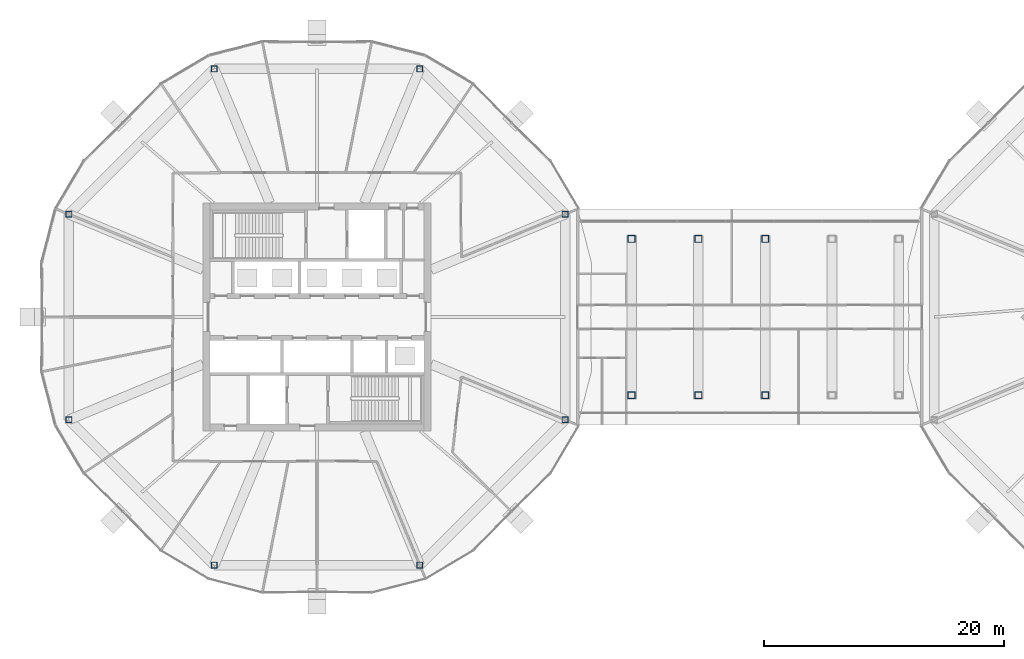
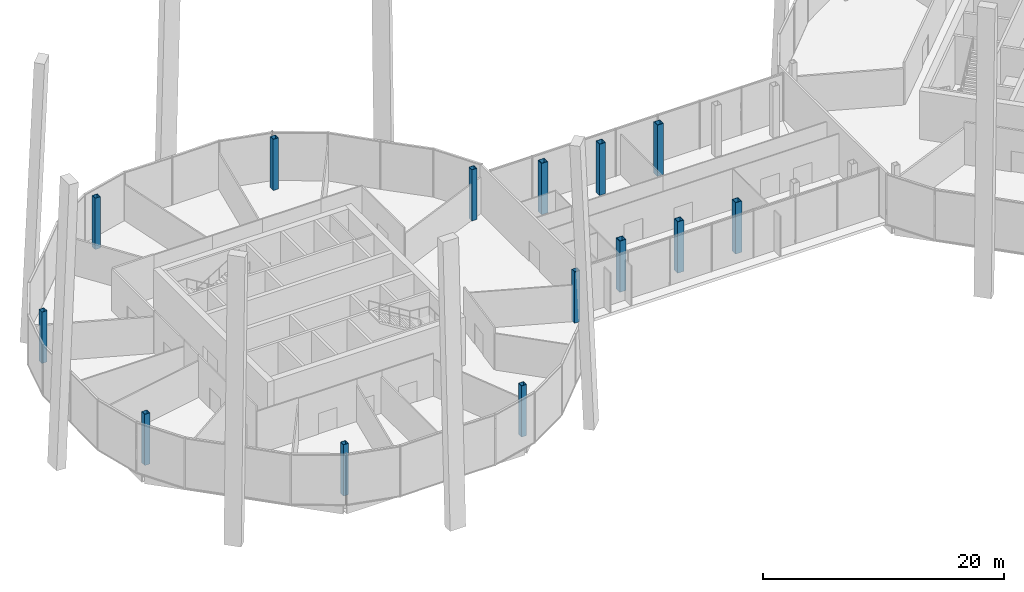
# One storey, part 1 of 28: 14 columns.
"""IFC4 building model written with IfcOpenShell, lengths in metres."""

from ifc_helpers import new_model, si_unit, direction, frame, origin, origin_2d, place, context, subcontext, project, spatial, hollow_rectangle, extrude, material, material_profile, profile_set, type_object, element, save


model = new_model("IFC4")

# Units and contexts
model_context = context("Model", 3, precision=1e-05, world=origin(), true_north=direction((0.0, 1.0)))
body_context = subcontext(model_context, "Body", "Model", "MODEL_VIEW")
ifc_project = project(units=[si_unit("LENGTHUNIT", "METRE"), si_unit("AREAUNIT", "SQUARE_METRE"), si_unit("VOLUMEUNIT", "CUBIC_METRE"), si_unit("PLANEANGLEUNIT", "RADIAN"), si_unit("MASSUNIT", "GRAM", prefix="KILO")], contexts=[model_context])

# Site, building, storey
site_placement = place(None, origin())
site = spatial("IfcSite", under=ifc_project, at=site_placement, CompositionType="ELEMENT")
building_placement = place(site_placement, origin())
building = spatial("IfcBuilding", under=site, at=building_placement, Name="Ogive Gate Towers", CompositionType="ELEMENT")
storey_placement = place(building_placement, frame((0.0, 0.0, 135.60009765625)))
storey = spatial("IfcBuildingStorey", under=building, at=storey_placement, Name="L32", CompositionType="ELEMENT", Elevation=135.60009765625)

# Columns
ifc_material = material(Name="Steel SM460", Category="steel")
ifc_material_profile_1 = material_profile(ifc_material, hollow_rectangle(XDim=0.60009765625, YDim=0.60009765625, WallThickness=0.0400390625, at=origin_2d()), Name="BX 600x600x40")
ifc_profile_set_1 = profile_set([ifc_material_profile_1], Name="Steel SM460")
column_type_1 = type_object("IfcColumnType", Name="Block column BX 600x600x40", PredefinedType="COLUMN", material=ifc_profile_set_1)
for number, where, z_axis, x_axis, name in (
    (1, (-9.83056640625, -6.5, 0.0), (0.0, 0.0, 1.0), (1.0, 0.0, 0.0), "BR/L32/SCL001"),
    (2, (-9.83056640625, 6.5, 0.0), (0.0, 0.0, 1.0), (1.0, 0.0, 0.0), "BR/L32/SCL002"),
    (3, (-4.27392578125, -6.5, 0.0), (0.0, 0.0, 1.0), (1.0, 0.0, 0.0), "BR/L32/SCL003"),
    (4, (-4.27392578125, 6.5, 0.0), (0.0, 0.0, 1.0), (1.0, 0.0, 0.0), "BR/L32/SCL004"),
    (5, (1.282470703125, -6.5, 0.0), (0.0, 0.0, 1.0), (1.0, 0.0, 0.0), "BR/L32/SCL005"),
    (6, (1.282470703125, 6.5, 0.0), (0.0, 0.0, 1.0), (1.0, 0.0, 0.0), "BR/L32/SCL006"),
):
    element("IfcColumn", number, at=place(storey_placement, frame(where, z_axis=z_axis, x_axis=x_axis)), inside=storey, type_object=column_type_1, Name=name, PredefinedType="COLUMN", context=body_context, shape_type="SweptSolid", body=[
        extrude(hollow_rectangle(XDim=0.60009765625, YDim=0.60009765625, WallThickness=0.0400390625, at=origin_2d()), origin(), (0.0, 0.0, 1.0), 5.199951171875),
    ])
ifc_material_profile_2 = material_profile(ifc_material, hollow_rectangle(XDim=0.5, YDim=0.5, WallThickness=0.030029296875, at=origin_2d()), Name="BX 500x500x30")
ifc_profile_set_2 = profile_set([ifc_material_profile_2], Name="Steel SM460")
column_type_2 = type_object("IfcColumnType", Name="Perimeter post BX 500x500x30", PredefinedType="COLUMN", material=ifc_profile_set_2)
for number, where, z_axis, x_axis, name in (
    (7, (-15.360595703125, 8.549072265625, 0.0), (0.0, 0.0, 1.0), (1.0, 0.0, 0.0), "T1/L32/SCL001"),
    (8, (-27.450927734375, 20.639404296875, 0.0), (0.0, 0.0, 1.0), (1.0, 0.0, 0.0), "T1/L32/SCL002"),
    (9, (-44.549072265625, 20.639404296875, 0.0), (0.0, 0.0, 1.0), (1.0, 0.0, 0.0), "T1/L32/SCL003"),
    (10, (-56.639404296875, 8.549072265625, 0.0), (0.0, 0.0, 1.0), (1.0, 0.0, 0.0), "T1/L32/SCL004"),
    (11, (-56.639404296875, -8.549072265625, 0.0), (0.0, 0.0, 1.0), (1.0, 0.0, 0.0), "T1/L32/SCL005"),
    (12, (-44.549072265625, -20.639404296875, 0.0), (0.0, 0.0, 1.0), (1.0, 0.0, 0.0), "T1/L32/SCL006"),
    (13, (-27.450927734375, -20.639404296875, 0.0), (0.0, 0.0, 1.0), (1.0, 0.0, 0.0), "T1/L32/SCL007"),
    (14, (-15.360595703125, -8.549072265625, 0.0), (0.0, 0.0, 1.0), (1.0, 0.0, 0.0), "T1/L32/SCL008"),
):
    element("IfcColumn", number, at=place(storey_placement, frame(where, z_axis=z_axis, x_axis=x_axis)), inside=storey, type_object=column_type_2, Name=name, PredefinedType="COLUMN", context=body_context, shape_type="SweptSolid", body=[
        extrude(hollow_rectangle(XDim=0.5, YDim=0.5, WallThickness=0.030029296875, at=origin_2d()), origin(), (0.0, 0.0, 1.0), 5.199951171875),
    ])

save(model, "model.ifc")
